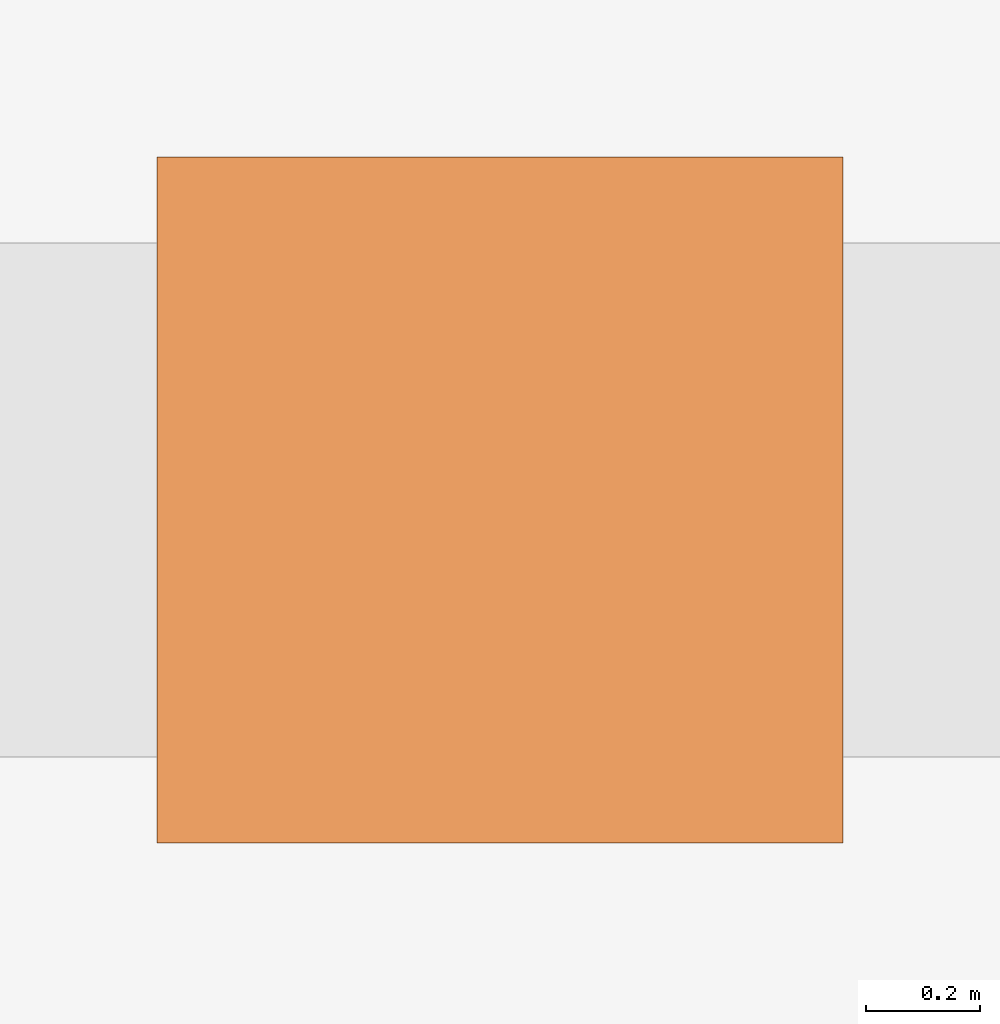
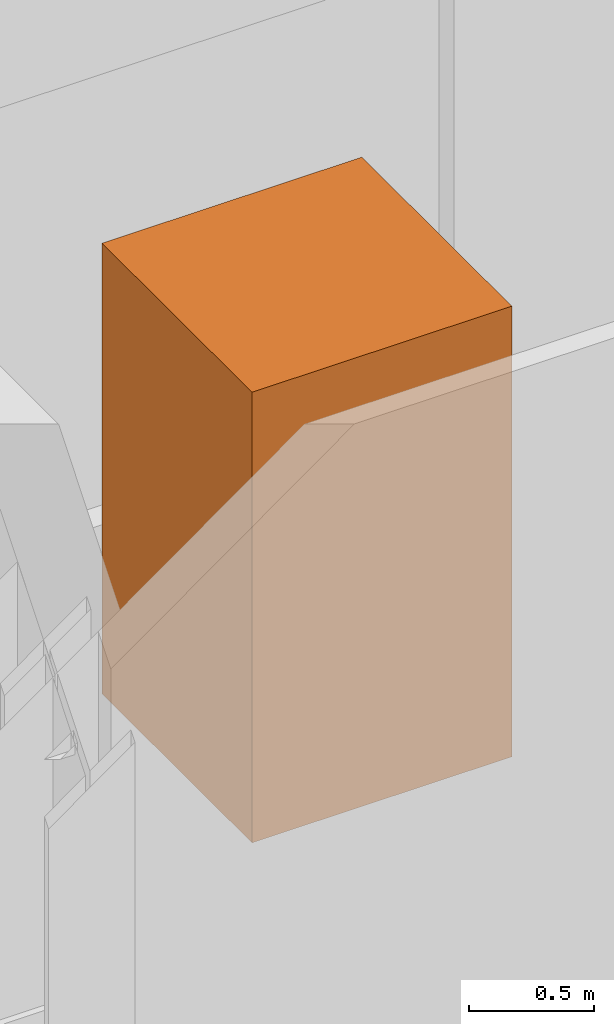
# One storey, part 10 of 10: 1 geographic element.
"""IFC4 building model written with IfcOpenShell, lengths in metres."""

from ifc_helpers import new_model, si_unit, direction, frame, origin, origin_2d, place, context, subcontext, project, spatial, rectangle, extrude, material, type_object, element, save


model = new_model("IFC4")

# Units and contexts
model_context = context("Model", 3, precision=1e-05, world=origin(), true_north=direction((0.0, 1.0)))
body_context = subcontext(model_context, "Body", "Model", "MODEL_VIEW")
ifc_project = project(units=[si_unit("LENGTHUNIT", "METRE"), si_unit("AREAUNIT", "SQUARE_METRE"), si_unit("VOLUMEUNIT", "CUBIC_METRE"), si_unit("PLANEANGLEUNIT", "RADIAN"), si_unit("MASSUNIT", "GRAM", prefix="KILO")], contexts=[model_context])

# Site, building, storey
site_placement = place(None, origin())
site = spatial("IfcSite", under=ifc_project, at=site_placement, CompositionType="ELEMENT")
building_placement = place(site_placement, origin())
building = spatial("IfcBuilding", under=site, at=building_placement, Name="Immortelle Media Tower", CompositionType="ELEMENT")
storey_placement = place(building_placement, frame((0.0, 0.0, 275.0)))
storey = spatial("IfcBuildingStorey", under=building, at=storey_placement, Name="L60", CompositionType="ELEMENT", Elevation=275.0)

# Geographic element
ifc_material = material(Name="Tree canopy foliage")
geographic_element_type = type_object("IfcGeographicElementType", Name="Tree", PredefinedType="USERDEFINED", material=ifc_material)
geographic_element_placement = place(storey_placement, frame((26.0, 1.550048828125, 0.60009765625), z_axis=(0.0, 0.0, 1.0), x_axis=(1.0, 0.0, 0.0)))
element("IfcGeographicElement", 1, at=geographic_element_placement, inside=storey, type_object=geographic_element_type, Name="Tree L60 S2", ObjectType="Tree", PredefinedType="USERDEFINED", context=body_context, shape_type="SweptSolid", body=[
    extrude(rectangle(XDim=1.199951171875, YDim=1.199951171875, at=origin_2d()), origin(), (0.0, 0.0, 1.0), 2.199951171875),
])

save(model, "model.ifc")
